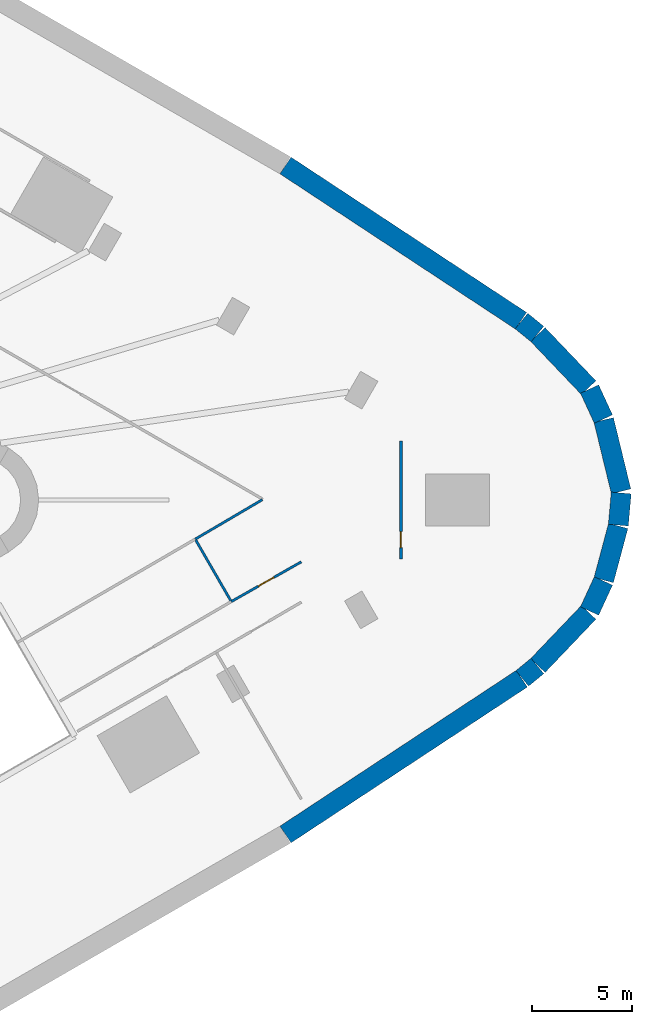
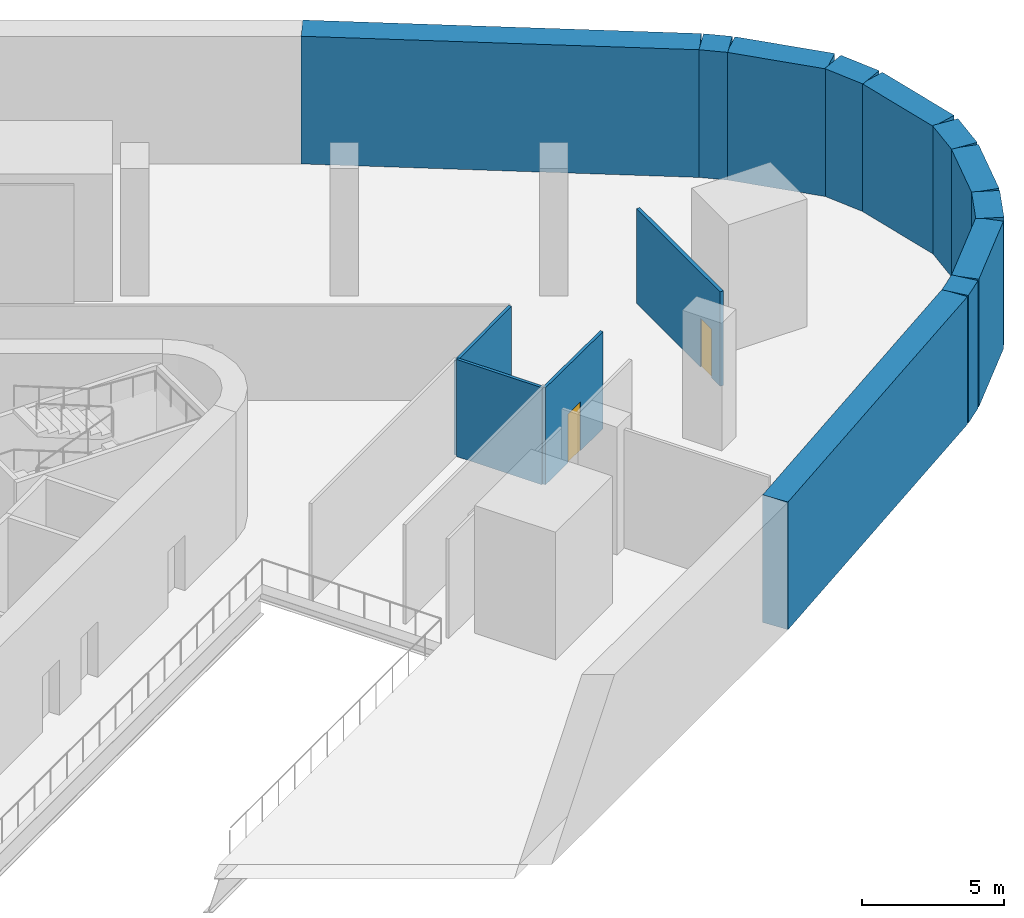
# One storey, part 9 of 13: 15 walls, 2 doors, 2 openings.
"""IFC4 building model written with IfcOpenShell, lengths in metres."""

from ifc_helpers import new_model, si_unit, direction, frame, frame_2d, origin, place, context, subcontext, project, spatial, rectangle, extrude, material, layer, layer_set, type_object, element, fill, save


model = new_model("IFC4")

# Units and contexts
model_context = context("Model", 3, precision=1e-05, world=origin(), true_north=direction((0.0, 1.0)))
body_context = subcontext(model_context, "Body", "Model", "MODEL_VIEW")
ifc_project = project(units=[si_unit("LENGTHUNIT", "METRE"), si_unit("AREAUNIT", "SQUARE_METRE"), si_unit("VOLUMEUNIT", "CUBIC_METRE"), si_unit("PLANEANGLEUNIT", "RADIAN"), si_unit("MASSUNIT", "GRAM", prefix="KILO")], contexts=[model_context])

# Site, building, storey
site_placement = place(None, origin())
site = spatial("IfcSite", under=ifc_project, at=site_placement, CompositionType="ELEMENT")
building_placement = place(site_placement, origin())
building = spatial("IfcBuilding", under=site, at=building_placement, Name="Tanit Gate Tower", CompositionType="ELEMENT")
storey_placement = place(building_placement, frame((0.0, 0.0, -5.5)))
storey = spatial("IfcBuildingStorey", under=building, at=storey_placement, Name="B1", CompositionType="ELEMENT", Elevation=-5.5)

# Walls
ifc_material_1 = material(Name="Concrete C35/45", Category="concrete")
ifc_layer_1 = layer(ifc_material_1, 1.0)
ifc_layer_set_1 = layer_set([ifc_layer_1], Name="DIAPHRAGM WALL 1000 C35/45")
wall_type_1 = type_object("IfcWallType", Name="DIAPHRAGM WALL 1000 C35/45", PredefinedType="SHEAR", material=ifc_layer_set_1)
wall_1_placement = place(storey_placement, frame((48.7080078125, 5.542724609375, 0.0), z_axis=(0.0, 0.0, 1.0), x_axis=(0.419020672457, -0.907976693563, 0.0)))
element("IfcWall", 1, at=wall_1_placement, inside=storey, type_object=wall_type_1, Name="DIAPHRAGM WALL", PredefinedType="SHEAR", context=body_context, shape_type="SweptSolid", body=[
    extrude(rectangle(XDim=1.651123046875, YDim=1.0, at=frame_2d((0.82568359375, 0.0))), origin(), (0.0, 0.0, 1.0), 5.5),
])
wall_2_placement = place(storey_placement, frame((49.416015625, 3.997802734375, 0.0), z_axis=(0.0, 0.0, 1.0), x_axis=(0.236219100911, -0.971699818033, 0.0)))
element("IfcWall", 2, at=wall_2_placement, inside=storey, type_object=wall_type_1, Name="DIAPHRAGM WALL", PredefinedType="SHEAR", context=body_context, shape_type="SweptSolid", body=[
    extrude(rectangle(XDim=3.66796875, YDim=1.0, at=frame_2d((1.833984375, 0.0))), origin(), (0.0, 0.0, 1.0), 5.5),
])
wall_3_placement = place(storey_placement, frame((50.28857421875, 0.352294921875, 0.0), z_axis=(0.0, 0.0, 1.0), x_axis=(-0.088459638237, -0.996079762069, 0.0)))
element("IfcWall", 3, at=wall_3_placement, inside=storey, type_object=wall_type_1, Name="DIAPHRAGM WALL", PredefinedType="SHEAR", context=body_context, shape_type="SweptSolid", body=[
    extrude(rectangle(XDim=1.61181640625, YDim=1.0, at=frame_2d((0.805908203125, 0.0))), origin(), (0.0, 0.0, 1.0), 5.5),
])
wall_4_placement = place(storey_placement, frame((50.138671875, -1.295654296875, 0.0), z_axis=(0.0, 0.0, 1.0), x_axis=(-0.258259551777, -0.966075568429, 0.0)))
element("IfcWall", 4, at=wall_4_placement, inside=storey, type_object=wall_type_1, Name="DIAPHRAGM WALL", PredefinedType="SHEAR", context=body_context, shape_type="SweptSolid", body=[
    extrude(rectangle(XDim=2.800048828125, YDim=1.0, at=frame_2d((1.39990234375, 0.0))), origin(), (0.0, 0.0, 1.0), 5.5),
])
wall_5_placement = place(storey_placement, frame((49.401123046875, -4.041015625, 0.0), z_axis=(0.0, 0.0, 1.0), x_axis=(-0.419067538135, -0.907955064131, 0.0)))
element("IfcWall", 5, at=wall_5_placement, inside=storey, type_object=wall_type_1, Name="DIAPHRAGM WALL", PredefinedType="SHEAR", context=body_context, shape_type="SweptSolid", body=[
    extrude(rectangle(XDim=1.654052734375, YDim=1.0, at=frame_2d((0.8271484375, 0.0))), origin(), (0.0, 0.0, 1.0), 5.5),
])
wall_6_placement = place(storey_placement, frame((48.661865234375, -5.610595703125, 0.0), z_axis=(0.0, 0.0, 1.0), x_axis=(-0.690456767335, -0.723373660317, 0.0)))
element("IfcWall", 6, at=wall_6_placement, inside=storey, type_object=wall_type_1, Name="DIAPHRAGM WALL", PredefinedType="SHEAR", context=body_context, shape_type="SweptSolid", body=[
    extrude(rectangle(XDim=3.67138671875, YDim=1.0, at=frame_2d((1.835693359375, 0.0))), origin(), (0.0, 0.0, 1.0), 5.5),
])
wall_7_placement = place(storey_placement, frame((46.104736328125, -8.287109375, 0.0), z_axis=(0.0, 0.0, 1.0), x_axis=(-0.773380097322, -0.633942603922, 0.0)))
element("IfcWall", 7, at=wall_7_placement, inside=storey, type_object=wall_type_1, Name="DIAPHRAGM WALL", PredefinedType="SHEAR", context=body_context, shape_type="SweptSolid", body=[
    extrude(rectangle(XDim=0.98046875, YDim=1.0, at=frame_2d((0.490234375, 0.0))), origin(), (0.0, 0.0, 1.0), 5.5),
])
wall_8_placement = place(storey_placement, frame((45.325439453125, -8.924072265625, 0.0), z_axis=(0.0, 0.0, 1.0), x_axis=(-0.834959286921, -0.550311720014, 0.0)))
element("IfcWall", 8, at=wall_8_placement, inside=storey, type_object=wall_type_1, Name="DIAPHRAGM WALL", PredefinedType="SHEAR", context=body_context, shape_type="SweptSolid", body=[
    extrude(rectangle(XDim=14.134033203125, YDim=1.0, at=frame_2d((7.06689453125, 0.0))), origin(), (0.0, 0.0, 1.0), 5.5),
])
wall_9_placement = place(storey_placement, frame((33.52490234375, 16.704833984375, 0.0), z_axis=(0.0, 0.0, 1.0), x_axis=(0.834958566613, -0.550312812898, 0.0)))
element("IfcWall", 9, at=wall_9_placement, inside=storey, type_object=wall_type_1, Name="DIAPHRAGM WALL", PredefinedType="SHEAR", context=body_context, shape_type="SweptSolid", body=[
    extrude(rectangle(XDim=14.0859375, YDim=1.0, at=frame_2d((7.04296875, 0.0))), origin(), (0.0, 0.0, 1.0), 5.5),
])
wall_10_placement = place(storey_placement, frame((45.306640625, 8.93798828125, 0.0), z_axis=(0.0, 0.0, 1.0), x_axis=(0.774938327928, -0.632036856448, 0.0)))
element("IfcWall", 10, at=wall_10_placement, inside=storey, type_object=wall_type_1, Name="DIAPHRAGM WALL", PredefinedType="SHEAR", context=body_context, shape_type="SweptSolid", body=[
    extrude(rectangle(XDim=1.0302734375, YDim=1.0, at=frame_2d((0.51513671875, 0.0))), origin(), (0.0, 0.0, 1.0), 5.5),
])
wall_11_placement = place(storey_placement, frame((46.127685546875, 8.265625, 0.0), z_axis=(0.0, 0.0, 1.0), x_axis=(0.690452015731, -0.723378195672, 0.0)))
element("IfcWall", 11, at=wall_11_placement, inside=storey, type_object=wall_type_1, Name="DIAPHRAGM WALL", PredefinedType="SHEAR", context=body_context, shape_type="SweptSolid", body=[
    extrude(rectangle(XDim=3.67041015625, YDim=1.0, at=frame_2d((1.835205078125, 0.0))), origin(), (0.0, 0.0, 1.0), 5.5),
])
ifc_material_2 = material(Name="Gypsum board partition")
ifc_layer_2 = layer(ifc_material_2, 0.1201171875)
ifc_layer_set_2 = layer_set([ifc_layer_2], Name="INT-WALL-PARTITION")
wall_type_2 = type_object("IfcWallType", Name="INT-WALL-PARTITION", PredefinedType="PARTITIONING", material=ifc_layer_set_2)
wall_12_placement = place(storey_placement, frame((29.0166015625, -1.953369140625, 0.0), z_axis=(0.0, 0.0, 1.0), x_axis=(0.86215357335, 0.506647032912, 0.0)))
element("IfcWall", 12, at=wall_12_placement, inside=storey, type_object=wall_type_2, Name="Wall Partition W107", PredefinedType="PARTITIONING", context=body_context, shape_type="SweptSolid", body=[
    extrude(rectangle(XDim=3.8896484375, YDim=0.1201171875, at=frame_2d((1.94482421875, 0.0))), origin(), (0.0, 0.0, 1.0), 4.070068359375),
])

# Wall, opening, door
wall_13_placement = place(storey_placement, frame((34.311279296875, -3.088134765625, 0.0), z_axis=(0.0, 0.0, 1.0), x_axis=(-0.869731025912, -0.493526030282, 0.0)))
wall_13 = element("IfcWall", 13, at=wall_13_placement, inside=storey, type_object=wall_type_2, Name="Wall Partition W123", PredefinedType="PARTITIONING", context=body_context, shape_type="SweptSolid", body=[
    extrude(rectangle(XDim=4.018310546875, YDim=0.1201171875, at=frame_2d((2.00927734375, 0.0))), origin(), (0.0, 0.0, 1.0), 4.179931640625),
])
opening_1_placement = place(wall_13_placement, frame((1.568115234375, 0.0, 0.0)))
opening_1 = element("IfcOpeningElement", 14, at=opening_1_placement, cuts=wall_13, Name="Opening D09-B1-47", PredefinedType="OPENING", context=body_context, shape_type="SweptSolid", body=[
    extrude(rectangle(XDim=0.89990234375, YDim=2.10009765625, at=frame_2d((0.449951171875, 1.050048828125))), frame((0.0, 0.070068359375, 0.0), z_axis=(0.0, -1.0, 0.0), x_axis=(1.0, 0.0, 0.0)), (0.0, 0.0, 1.0), 0.14013671875),
])
ifc_material_3 = material(Name="Timber door leaf", Category="wood")
door_type_1 = type_object("IfcDoorType", Name="INT-DOOR-SINGLE-900", OperationType="NOTDEFINED", PredefinedType="NOTDEFINED", material=ifc_material_3)
door_1_placement = place(opening_1_placement, origin())
door_1 = element("IfcDoor", 15, at=door_1_placement, inside=storey, type_object=door_type_1, Name="Door D09-B1-47", OperationType="SINGLE_SWING_LEFT", OverallHeight=2.10009765625, OverallWidth=0.89990234375, PredefinedType="NOTDEFINED", context=body_context, shape_type="SweptSolid", body=[
    extrude(rectangle(XDim=0.89990234375, YDim=2.10009765625, at=frame_2d((0.449951171875, 1.050048828125))), frame((0.0, 0.02490234375, 0.0), z_axis=(0.0, -1.0, 0.0), x_axis=(1.0, 0.0, 0.0)), (0.0, 0.0, 1.0), 0.050048828125),
])
fill(opening_1, door_1)

# Wall
wall_14_placement = place(storey_placement, frame((30.786376953125, -5.019287109375, 0.0), z_axis=(0.0, 0.0, 1.0), x_axis=(-0.499979528911, 0.866037222451, 0.0)))
element("IfcWall", 16, at=wall_14_placement, inside=storey, type_object=wall_type_2, Name="Wall Partition W126", PredefinedType="PARTITIONING", context=body_context, shape_type="SweptSolid", body=[
    extrude(rectangle(XDim=3.480224609375, YDim=0.1201171875, at=frame_2d((1.740234375, 0.0))), origin(), (0.0, 0.0, 1.0), 4.179931640625),
])

# Wall, opening, door
ifc_material_4 = material(Name="Fire-rated gypsum board partition")
ifc_layer_3 = layer(ifc_material_4, 0.14990234375)
ifc_layer_set_3 = layer_set([ifc_layer_3], Name="INT-WALL-RISER")
wall_type_3 = type_object("IfcWallType", Name="INT-WALL-RISER", PredefinedType="PLUMBINGWALL", material=ifc_layer_set_3)
wall_15_placement = place(storey_placement, frame((39.28125, -2.955322265625, 0.0), z_axis=(0.0, 0.0, 1.0), x_axis=(0.0, 1.0, 0.0)))
wall_15 = element("IfcWall", 17, at=wall_15_placement, inside=storey, type_object=wall_type_3, Name="Wall Riser W098", PredefinedType="PLUMBINGWALL", context=body_context, shape_type="SweptSolid", body=[
    extrude(rectangle(XDim=5.91064453125, YDim=0.14990234375, at=frame_2d((2.955322265625, 0.0))), origin(), (0.0, 0.0, 1.0), 4.070068359375),
])
opening_2_placement = place(wall_15_placement, frame((0.58349609375, 0.0, 0.0)))
opening_2 = element("IfcOpeningElement", 18, at=opening_2_placement, cuts=wall_15, Name="Opening R08-B1-36", PredefinedType="OPENING", context=body_context, shape_type="SweptSolid", body=[
    extrude(rectangle(XDim=0.800048828125, YDim=2.10009765625, at=frame_2d((0.39990234375, 1.050048828125))), frame((0.0, 0.0849609375, 0.0), z_axis=(0.0, -1.0, 0.0), x_axis=(1.0, 0.0, 0.0)), (0.0, 0.0, 1.0), 0.169921875),
])
ifc_material_5 = material(Name="Timber door leaf", Category="wood")
door_type_2 = type_object("IfcDoorType", Name="INT-DOOR-RISER-800", OperationType="NOTDEFINED", PredefinedType="USERDEFINED", material=ifc_material_5)
door_2_placement = place(opening_2_placement, origin())
door_2 = element("IfcDoor", 19, at=door_2_placement, inside=storey, type_object=door_type_2, Name="Door R08-B1-36", ObjectType="FIRE DOOR", OperationType="SINGLE_SWING_LEFT", OverallHeight=2.10009765625, OverallWidth=0.800048828125, PredefinedType="USERDEFINED", context=body_context, shape_type="SweptSolid", body=[
    extrude(rectangle(XDim=0.800048828125, YDim=2.10009765625, at=frame_2d((0.39990234375, 1.050048828125))), frame((0.0, 0.02490234375, 0.0), z_axis=(0.0, -1.0, 0.0), x_axis=(1.0, 0.0, 0.0)), (0.0, 0.0, 1.0), 0.050048828125),
])
fill(opening_2, door_2)

save(model, "model.ifc")
